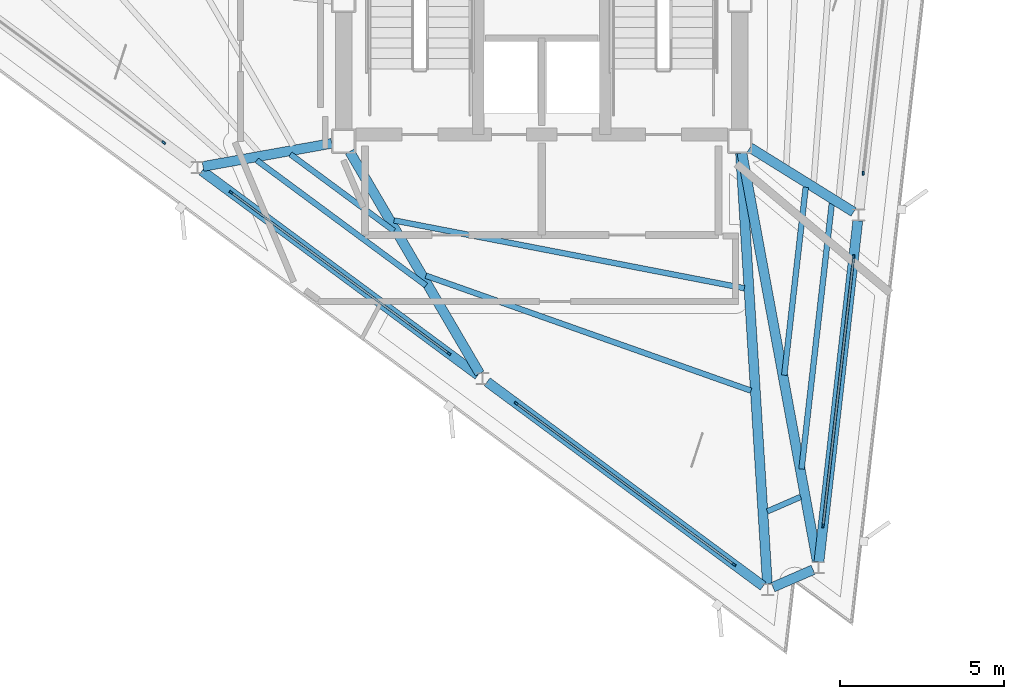
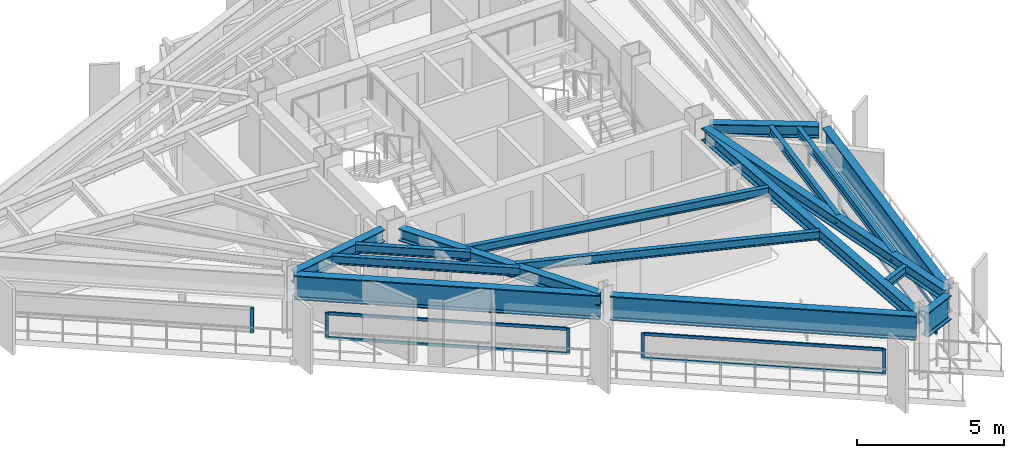
# One storey, part 2 of 9: 16 beams, 14 members, 5 elements without a shape of their own.
"""IFC4 building model written with IfcOpenShell, lengths in metres."""

from ifc_helpers import new_model, si_unit, direction, frame, origin, origin_2d, place, context, subcontext, project, spatial, rectangle, i_section, extrude, material, layer, layer_set, material_profile, profile_set, type_object, element, aggregate, save


model = new_model("IFC4")

# Units and contexts
model_context = context("Model", 3, precision=1e-05, world=origin(), true_north=direction((0.0, 1.0)))
body_context = subcontext(model_context, "Body", "Model", "MODEL_VIEW")
ifc_project = project(units=[si_unit("LENGTHUNIT", "METRE"), si_unit("AREAUNIT", "SQUARE_METRE"), si_unit("VOLUMEUNIT", "CUBIC_METRE"), si_unit("PLANEANGLEUNIT", "RADIAN"), si_unit("MASSUNIT", "GRAM", prefix="KILO")], contexts=[model_context])

# Site, building, storey
site_placement = place(None, origin())
site = spatial("IfcSite", under=ifc_project, at=site_placement, CompositionType="ELEMENT")
building_placement = place(site_placement, origin())
building = spatial("IfcBuilding", under=site, at=building_placement, Name="Rocaltana Carrier Exchange", CompositionType="ELEMENT")
storey_placement = place(building_placement, frame((0.0, 0.0, 236.159912109375)))
storey = spatial("IfcBuildingStorey", under=building, at=storey_placement, Name="L75", CompositionType="ELEMENT", Elevation=236.159912109375)

# Curtain wall, members
ifc_material_1 = material(Name="Aluminium 6063-T6", Category="aluminium")
ifc_layer = layer(ifc_material_1, 0.1201171875)
ifc_layer_set = layer_set([ifc_layer], Name="Aluminium 6063-T6")
curtain_wall_type = type_object("IfcCurtainWallType", Name="High-Altitude Thermal Curtain Wall CW-05", PredefinedType="NOTDEFINED", material=ifc_layer_set)
curtain_wall_1_placement = place(storey_placement, origin())
curtain_wall_1 = element("IfcCurtainWall", 1, at=curtain_wall_1_placement, inside=storey, type_object=curtain_wall_type, Name="L75 CW-05 Run CW-L75-F1S1", PredefinedType="NOTDEFINED")
ifc_material_2 = material(Name="Aluminium 6063-T6", Category="aluminium")
ifc_material_profile_1 = material_profile(ifc_material_2, rectangle(XDim=0.06005859375, YDim=0.1201171875, at=origin_2d()), Name="AL-60X120")
ifc_profile_set_1 = profile_set([ifc_material_profile_1], Name="Aluminium 6063-T6")
member_type_1 = type_object("IfcMemberType", Name="CW-05 Mullion AL-60X120", PredefinedType="MULLION", material=ifc_profile_set_1)
member_1_placement = place(storey_placement, frame((8.593505859375, -16.0458984375, 0.0), z_axis=(0.0, 0.0, 1.0), x_axis=(-0.993571216652, 0.113208822277, 0.0)))
member_1 = element("IfcMember", 2, at=member_1_placement, type_object=member_type_1, Name="CW-05 mullion 1", PredefinedType="MULLION", context=body_context, shape_type="SweptSolid", body=[
    extrude(rectangle(XDim=0.06005859375, YDim=0.1201171875, at=origin_2d()), origin(), (0.0, 0.0, 1.0), 1.078125),
])
member_2_placement = place(storey_placement, frame((9.530029296875, -7.825927734375, 0.0), z_axis=(0.0, 0.0, 1.0), x_axis=(-0.993571216652, 0.113208822277, 0.0)))
member_2 = element("IfcMember", 3, at=member_2_placement, type_object=member_type_1, Name="CW-05 mullion 2", PredefinedType="MULLION", context=body_context, shape_type="SweptSolid", body=[
    extrude(rectangle(XDim=0.06005859375, YDim=0.1201171875, at=origin_2d()), origin(), (0.0, 0.0, 1.0), 1.078125),
])

# Curtain wall, member
curtain_wall_2_placement = place(storey_placement, origin())
curtain_wall_2 = element("IfcCurtainWall", 4, at=curtain_wall_2_placement, inside=storey, type_object=curtain_wall_type, Name="L75 CW-05 Run CW-L75-F1S2", PredefinedType="NOTDEFINED")
member_3_placement = place(storey_placement, frame((9.81982421875, -5.2822265625, 0.0), z_axis=(0.0, 0.0, 1.0), x_axis=(-0.993571216652, 0.113208822277, 0.0)))
member_3 = element("IfcMember", 5, at=member_3_placement, type_object=member_type_1, Name="CW-05 mullion 1", PredefinedType="MULLION", context=body_context, shape_type="SweptSolid", body=[
    extrude(rectangle(XDim=0.06005859375, YDim=0.1201171875, at=origin_2d()), origin(), (0.0, 0.0, 1.0), 1.078125),
])
aggregate(curtain_wall_2, [member_3])

curtain_wall_3_placement = place(storey_placement, origin())
curtain_wall_3 = element("IfcCurtainWall", 6, at=curtain_wall_3_placement, inside=storey, type_object=curtain_wall_type, Name="L75 CW-05 Run CW-L75-F3S1", PredefinedType="NOTDEFINED")
member_4_placement = place(storey_placement, frame((-11.54248046875, -4.340576171875, 0.0), z_axis=(0.0, 0.0, 1.0), x_axis=(0.594826566974, 0.803854063386, 0.0)))
member_4 = element("IfcMember", 7, at=member_4_placement, type_object=member_type_1, Name="CW-05 mullion 2", PredefinedType="MULLION", context=body_context, shape_type="SweptSolid", body=[
    extrude(rectangle(XDim=0.06005859375, YDim=0.1201171875, at=origin_2d()), origin(), (0.0, 0.0, 1.0), 1.078125),
])
aggregate(curtain_wall_3, [member_4])

# Curtain wall, members
curtain_wall_4_placement = place(storey_placement, origin())
curtain_wall_4 = element("IfcCurtainWall", 8, at=curtain_wall_4_placement, inside=storey, type_object=curtain_wall_type, Name="L75 CW-05 Run CW-L75-F3S2", PredefinedType="NOTDEFINED")
member_5_placement = place(storey_placement, frame((-9.484619140625, -5.863037109375, 0.0), z_axis=(0.0, 0.0, 1.0), x_axis=(0.594820829179, 0.803858309141, 0.0)))
member_5 = element("IfcMember", 9, at=member_5_placement, type_object=member_type_1, Name="CW-05 mullion 1", PredefinedType="MULLION", context=body_context, shape_type="SweptSolid", body=[
    extrude(rectangle(XDim=0.06005859375, YDim=0.1201171875, at=origin_2d()), origin(), (0.0, 0.0, 1.0), 1.078125),
])
member_6_placement = place(storey_placement, frame((-2.833984375, -10.784423828125, 0.0), z_axis=(0.0, 0.0, 1.0), x_axis=(0.594820829179, 0.803858309141, 0.0)))
member_6 = element("IfcMember", 10, at=member_6_placement, type_object=member_type_1, Name="CW-05 mullion 2", PredefinedType="MULLION", context=body_context, shape_type="SweptSolid", body=[
    extrude(rectangle(XDim=0.06005859375, YDim=0.1201171875, at=origin_2d()), origin(), (0.0, 0.0, 1.0), 1.078125),
])

curtain_wall_5_placement = place(storey_placement, origin())
curtain_wall_5 = element("IfcCurtainWall", 11, at=curtain_wall_5_placement, inside=storey, type_object=curtain_wall_type, Name="L75 CW-05 Run CW-L75-F3S3", PredefinedType="NOTDEFINED")
member_7_placement = place(storey_placement, frame((-0.776123046875, -12.30712890625, 0.0), z_axis=(0.0, 0.0, 1.0), x_axis=(0.594826566974, 0.803854063386, 0.0)))
member_7 = element("IfcMember", 12, at=member_7_placement, type_object=member_type_1, Name="CW-05 mullion 1", PredefinedType="MULLION", context=body_context, shape_type="SweptSolid", body=[
    extrude(rectangle(XDim=0.06005859375, YDim=0.1201171875, at=origin_2d()), origin(), (0.0, 0.0, 1.0), 1.078125),
])
member_8_placement = place(storey_placement, frame((5.87451171875, -17.228271484375, 0.0), z_axis=(0.0, 0.0, 1.0), x_axis=(0.594826566974, 0.803854063386, 0.0)))
member_8 = element("IfcMember", 13, at=member_8_placement, type_object=member_type_1, Name="CW-05 mullion 2", PredefinedType="MULLION", context=body_context, shape_type="SweptSolid", body=[
    extrude(rectangle(XDim=0.06005859375, YDim=0.1201171875, at=origin_2d()), origin(), (0.0, 0.0, 1.0), 1.078125),
])

# Member
ifc_material_3 = material(Name="Aluminium 6063-T6", Category="aluminium")
ifc_material_profile_2 = material_profile(ifc_material_3, rectangle(XDim=0.06005859375, YDim=0.1201171875, at=origin_2d()), Name="AL-60X120")
ifc_profile_set_2 = profile_set([ifc_material_profile_2], Name="Aluminium 6063-T6")
member_type_2 = type_object("IfcMemberType", Name="CW-05 Transom AL-60X120", PredefinedType="USERDEFINED", material=ifc_profile_set_2)
member_9_placement = place(storey_placement, frame((8.596923828125, -16.01611328125, 0.030029296875), z_axis=(0.113194477683, 0.993572850989, 0.0), x_axis=(-0.993572850989, 0.113194477683, 0.0)))
member_9 = element("IfcMember", 14, at=member_9_placement, type_object=member_type_2, Name="CW-05 transom 1.1", ObjectType="TRANSOM", PredefinedType="USERDEFINED", context=body_context, shape_type="SweptSolid", body=[
    extrude(rectangle(XDim=0.06005859375, YDim=0.1201171875, at=origin_2d()), origin(), (0.0, 0.0, 1.0), 8.213134765625),
])

member_10_placement = place(storey_placement, frame((8.596923828125, -16.01611328125, 1.048095703125), z_axis=(0.113194477683, 0.993572850989, 0.0), x_axis=(-0.993572850989, 0.113194477683, 0.0)))
member_10 = element("IfcMember", 15, at=member_10_placement, type_object=member_type_2, Name="CW-05 transom 1.2", ObjectType="TRANSOM", PredefinedType="USERDEFINED", context=body_context, shape_type="SweptSolid", body=[
    extrude(rectangle(XDim=0.06005859375, YDim=0.1201171875, at=origin_2d()), origin(), (0.0, 0.0, 1.0), 8.213134765625),
])

aggregate(curtain_wall_1, [member_1, member_2, member_9, member_10])

member_11_placement = place(storey_placement, frame((-9.46044921875, -5.881103515625, 0.030029296875), z_axis=(0.80386407087, -0.59481304253, 0.0), x_axis=(0.59481304253, 0.80386407087, 0.0)))
member_11 = element("IfcMember", 16, at=member_11_placement, type_object=member_type_2, Name="CW-05 transom 1.1", ObjectType="TRANSOM", PredefinedType="USERDEFINED", context=body_context, shape_type="SweptSolid", body=[
    extrude(rectangle(XDim=0.06005859375, YDim=0.1201171875, at=origin_2d()), origin(), (0.0, 0.0, 1.0), 8.213623046875),
])

member_12_placement = place(storey_placement, frame((-9.46044921875, -5.881103515625, 1.048095703125), z_axis=(0.80386407087, -0.59481304253, 0.0), x_axis=(0.59481304253, 0.80386407087, 0.0)))
member_12 = element("IfcMember", 17, at=member_12_placement, type_object=member_type_2, Name="CW-05 transom 1.2", ObjectType="TRANSOM", PredefinedType="USERDEFINED", context=body_context, shape_type="SweptSolid", body=[
    extrude(rectangle(XDim=0.06005859375, YDim=0.1201171875, at=origin_2d()), origin(), (0.0, 0.0, 1.0), 8.213623046875),
])

aggregate(curtain_wall_4, [member_5, member_6, member_11, member_12])

member_13_placement = place(storey_placement, frame((-0.751953125, -12.324951171875, 0.030029296875), z_axis=(0.803853553959, -0.594827255418, 0.0), x_axis=(0.594827255418, 0.803853553959, 0.0)))
member_13 = element("IfcMember", 18, at=member_13_placement, type_object=member_type_2, Name="CW-05 transom 1.1", ObjectType="TRANSOM", PredefinedType="USERDEFINED", context=body_context, shape_type="SweptSolid", body=[
    extrude(rectangle(XDim=0.06005859375, YDim=0.1201171875, at=origin_2d()), origin(), (0.0, 0.0, 1.0), 8.21337890625),
])

member_14_placement = place(storey_placement, frame((-0.751953125, -12.324951171875, 1.048095703125), z_axis=(0.803853553959, -0.594827255418, 0.0), x_axis=(0.594827255418, 0.803853553959, 0.0)))
member_14 = element("IfcMember", 19, at=member_14_placement, type_object=member_type_2, Name="CW-05 transom 1.2", ObjectType="TRANSOM", PredefinedType="USERDEFINED", context=body_context, shape_type="SweptSolid", body=[
    extrude(rectangle(XDim=0.06005859375, YDim=0.1201171875, at=origin_2d()), origin(), (0.0, 0.0, 1.0), 8.21337890625),
])

aggregate(curtain_wall_5, [member_7, member_8, member_13, member_14])

# Beams
ifc_material_4 = material(Name="Steel S355", Category="steel")
ifc_material_profile_3 = material_profile(ifc_material_4, i_section(OverallWidth=0.172119140625, OverallDepth=0.35791015625, WebThickness=0.0078125, FlangeThickness=0.01318359375, FilletRadius=0.011962890625, at=origin_2d()), Name="W14X38")
ifc_profile_set_3 = profile_set([ifc_material_profile_3], Name="Steel S355")
beam_type_1 = type_object("IfcBeamType", Name="Floor Joist W14X38", PredefinedType="JOIST", material=ifc_profile_set_3)
beam_1_placement = place(storey_placement, frame((7.409423828125, -11.44677734375, 2.439208984375), z_axis=(0.113227249781, 0.993569116824, 0.0), x_axis=(-0.993569116824, 0.113227249781, 0.0)))
element("IfcBeam", 20, at=beam_1_placement, inside=storey, type_object=beam_type_1, Name="FJ-L75-01-2", PredefinedType="JOIST", context=body_context, shape_type="SweptSolid", body=[
    extrude(i_section(OverallWidth=0.172119140625, OverallDepth=0.35791015625, WebThickness=0.0078125, FlangeThickness=0.01318359375, FilletRadius=0.011962890625, at=origin_2d()), origin(), (0.0, 0.0, 1.0), 5.778564453125),
])
beam_2_placement = place(storey_placement, frame((7.937255859375, -14.310791015625, 2.439208984375), z_axis=(0.113185523322, 0.993573871089, 0.0), x_axis=(-0.993573871089, 0.113185523322, 0.0)))
element("IfcBeam", 21, at=beam_2_placement, inside=storey, type_object=beam_type_1, Name="FJ-L75-01-3", PredefinedType="JOIST", context=body_context, shape_type="SweptSolid", body=[
    extrude(i_section(OverallWidth=0.172119140625, OverallDepth=0.35791015625, WebThickness=0.0078125, FlangeThickness=0.01318359375, FilletRadius=0.011962890625, at=origin_2d()), origin(), (0.0, 0.0, 1.0), 8.162109375),
])
beam_3_placement = place(storey_placement, frame((-7.675048828125, -4.698486328125, 2.439208984375), z_axis=(0.803860282808, -0.594818161899, 0.0), x_axis=(0.594818161899, 0.803860282808, 0.0)))
element("IfcBeam", 22, at=beam_3_placement, inside=storey, type_object=beam_type_1, Name="FJ-L75-10-1", PredefinedType="JOIST", context=body_context, shape_type="SweptSolid", body=[
    extrude(i_section(OverallWidth=0.172119140625, OverallDepth=0.35791015625, WebThickness=0.0078125, FlangeThickness=0.01318359375, FilletRadius=0.011962890625, at=origin_2d()), origin(), (0.0, 0.0, 1.0), 3.93701171875),
])
beam_4_placement = place(storey_placement, frame((-8.70166015625, -4.8828125, 2.439208984375), z_axis=(0.803852431251, -0.59482877265, 0.0), x_axis=(0.59482877265, 0.803852431251, 0.0)))
element("IfcBeam", 23, at=beam_4_placement, inside=storey, type_object=beam_type_1, Name="FJ-L75-10-2", PredefinedType="JOIST", context=body_context, shape_type="SweptSolid", body=[
    extrude(i_section(OverallWidth=0.172119140625, OverallDepth=0.35791015625, WebThickness=0.0078125, FlangeThickness=0.01318359375, FilletRadius=0.011962890625, at=origin_2d()), origin(), (0.0, 0.0, 1.0), 6.4287109375),
])
beam_5_placement = place(storey_placement, frame((-4.5078125, -6.718505859375, 2.439208984375), z_axis=(0.981759350147, -0.190127794914, 0.0), x_axis=(0.190127794914, 0.981759350147, 0.0)))
element("IfcBeam", 24, at=beam_5_placement, inside=storey, type_object=beam_type_1, Name="FJ-L75-11-1", PredefinedType="JOIST", context=body_context, shape_type="SweptSolid", body=[
    extrude(i_section(OverallWidth=0.172119140625, OverallDepth=0.35791015625, WebThickness=0.0078125, FlangeThickness=0.01318359375, FilletRadius=0.011962890625, at=origin_2d()), origin(), (0.0, 0.0, 1.0), 10.896728515625),
])
beam_6_placement = place(storey_placement, frame((-3.537109375, -8.405517578125, 2.439208984375), z_axis=(0.942743579006, -0.333518431639, 0.0), x_axis=(0.333518431639, 0.942743579006, 0.0)))
element("IfcBeam", 25, at=beam_6_placement, inside=storey, type_object=beam_type_1, Name="FJ-L75-11-2", PredefinedType="JOIST", context=body_context, shape_type="SweptSolid", body=[
    extrude(i_section(OverallWidth=0.172119140625, OverallDepth=0.35791015625, WebThickness=0.0078125, FlangeThickness=0.01318359375, FilletRadius=0.011962890625, at=origin_2d()), origin(), (0.0, 0.0, 1.0), 10.5322265625),
])
beam_7_placement = place(storey_placement, frame((6.890380859375, -15.60498046875, 2.439208984375), z_axis=(0.917028106869, 0.398822581122, 0.0), x_axis=(-0.398822581122, 0.917028106869, 0.0)))
element("IfcBeam", 26, at=beam_7_placement, inside=storey, type_object=beam_type_1, Name="FJ-L75-12-3", PredefinedType="JOIST", context=body_context, shape_type="SweptSolid", body=[
    extrude(i_section(OverallWidth=0.172119140625, OverallDepth=0.35791015625, WebThickness=0.0078125, FlangeThickness=0.01318359375, FilletRadius=0.011962890625, at=origin_2d()), origin(), (0.0, 0.0, 1.0), 1.1103515625),
])
ifc_material_5 = material(Name="Steel S460", Category="steel")
ifc_material_profile_4 = material_profile(ifc_material_5, i_section(OverallWidth=0.302001953125, OverallDepth=1.008056640625, WebThickness=0.02099609375, FlangeThickness=0.0400390625, FilletRadius=0.030029296875, at=origin_2d()), Name="HEM1000")
ifc_profile_set_4 = profile_set([ifc_material_profile_4], Name="Steel S460")
beam_type_2 = type_object("IfcBeamType", Name="Transfer Ring Girder HEM1000", PredefinedType="USERDEFINED", material=ifc_profile_set_4)
for number, where, z_axis, x_axis, name in (
    (27, (8.46826171875, -17.144775390625, 2.114013671875), (0.113206425365, 0.993571489756, 0.0), (-0.993571489756, 0.113206425365, 0.0), "SP-L75-01"),
    (28, (-10.37353515625, -5.205322265625, 2.114013671875), (0.80386149379, -0.594816525326, 0.0), (0.594816525326, 0.80386149379, 0.0), "SP-L75-10"),
):
    element("IfcBeam", number, at=place(storey_placement, frame(where, z_axis=z_axis, x_axis=x_axis)), inside=storey, type_object=beam_type_2, Name=name, ObjectType="TRANSFER GIRDER", PredefinedType="USERDEFINED", context=body_context, shape_type="SweptSolid", body=[
        extrude(i_section(OverallWidth=0.302001953125, OverallDepth=1.008056640625, WebThickness=0.02099609375, FlangeThickness=0.0400390625, FilletRadius=0.030029296875, at=origin_2d()), origin(), (0.0, 0.0, 1.0), 10.4853515625),
    ])
beam_8_placement = place(storey_placement, frame((-1.6650390625, -11.649169921875, 2.114013671875), z_axis=(0.803853255476, -0.594827658789, 0.0), x_axis=(0.594827658789, 0.803853255476, 0.0)))
element("IfcBeam", 29, at=beam_8_placement, inside=storey, type_object=beam_type_2, Name="SP-L75-11", ObjectType="TRANSFER GIRDER", PredefinedType="USERDEFINED", context=body_context, shape_type="SweptSolid", body=[
    extrude(i_section(OverallWidth=0.302001953125, OverallDepth=1.008056640625, WebThickness=0.02099609375, FlangeThickness=0.0400390625, FilletRadius=0.030029296875, at=origin_2d()), origin(), (0.0, 0.0, 1.0), 10.485107421875),
])
beam_9_placement = place(storey_placement, frame((7.06298828125, -17.920166015625, 2.114013671875), z_axis=(0.917101989492, 0.398652656922, 0.0), x_axis=(-0.398652656922, 0.917101989492, 0.0)))
element("IfcBeam", 30, at=beam_9_placement, inside=storey, type_object=beam_type_2, Name="SP-L75-12", ObjectType="TRANSFER GIRDER", PredefinedType="USERDEFINED", context=body_context, shape_type="SweptSolid", body=[
    extrude(i_section(OverallWidth=0.302001953125, OverallDepth=1.008056640625, WebThickness=0.02099609375, FlangeThickness=0.0400390625, FilletRadius=0.030029296875, at=origin_2d()), origin(), (0.0, 0.0, 1.0), 1.3369140625),
])
ifc_material_6 = material(Name="Steel S355", Category="steel")
ifc_material_profile_5 = material_profile(ifc_material_6, i_section(OverallWidth=0.300048828125, OverallDepth=0.5, WebThickness=0.014404296875, FlangeThickness=0.028076171875, FilletRadius=0.027099609375, at=origin_2d()), Name="HEB500")
ifc_profile_set_5 = profile_set([ifc_material_profile_5], Name="Steel S355")
beam_type_3 = type_object("IfcBeamType", Name="Upper Radial Girder HEB500", PredefinedType="BEAM", material=ifc_profile_set_5)
beam_10_placement = place(storey_placement, frame((6.116455078125, -4.660888671875, 2.3681640625), z_axis=(0.181205011111, -0.983445343651, 0.0), x_axis=(0.983445343651, 0.181205011111, 0.0)))
element("IfcBeam", 31, at=beam_10_placement, inside=storey, type_object=beam_type_3, Name="RG-L75-01", PredefinedType="BEAM", context=body_context, shape_type="SweptSolid", body=[
    extrude(i_section(OverallWidth=0.300048828125, OverallDepth=0.5, WebThickness=0.014404296875, FlangeThickness=0.028076171875, FilletRadius=0.027099609375, at=origin_2d()), origin(), (0.0, 0.0, 1.0), 12.69580078125),
])
beam_11_placement = place(storey_placement, frame((6.36181640625, -4.493896484375, 2.3681640625), z_axis=(0.849206736658, -0.528060525333, 0.0), x_axis=(0.528060525333, 0.849206736658, 0.0)))
element("IfcBeam", 32, at=beam_11_placement, inside=storey, type_object=beam_type_3, Name="RG-L75-02", PredefinedType="BEAM", context=body_context, shape_type="SweptSolid", body=[
    extrude(i_section(OverallWidth=0.300048828125, OverallDepth=0.5, WebThickness=0.014404296875, FlangeThickness=0.028076171875, FilletRadius=0.027099609375, at=origin_2d()), origin(), (0.0, 0.0, 1.0), 3.727294921875),
])
beam_12_placement = place(storey_placement, frame((-6.4111328125, -4.364990234375, 2.3681640625), z_axis=(-0.98425103289, -0.176776424489, 0.0), x_axis=(0.176776424489, -0.98425103289, 0.0)))
element("IfcBeam", 33, at=beam_12_placement, inside=storey, type_object=beam_type_3, Name="RG-L75-10", PredefinedType="BEAM", context=body_context, shape_type="SweptSolid", body=[
    extrude(i_section(OverallWidth=0.300048828125, OverallDepth=0.5, WebThickness=0.014404296875, FlangeThickness=0.028076171875, FilletRadius=0.027099609375, at=origin_2d()), origin(), (0.0, 0.0, 1.0), 3.994140625),
])
beam_13_placement = place(storey_placement, frame((-5.864501953125, -4.61669921875, 2.3681640625), z_axis=(0.505496980412, -0.862828373893, 0.0), x_axis=(0.862828373893, 0.505496980412, 0.0)))
element("IfcBeam", 34, at=beam_13_placement, inside=storey, type_object=beam_type_3, Name="RG-L75-11", PredefinedType="BEAM", context=body_context, shape_type="SweptSolid", body=[
    extrude(i_section(OverallWidth=0.300048828125, OverallDepth=0.5, WebThickness=0.014404296875, FlangeThickness=0.028076171875, FilletRadius=0.027099609375, at=origin_2d()), origin(), (0.0, 0.0, 1.0), 7.8564453125),
])
beam_14_placement = place(storey_placement, frame((6.07275390625, -4.666259765625, 2.3681640625), z_axis=(0.062224851394, -0.998062156315, 0.0), x_axis=(0.998062156315, 0.062224851394, 0.0)))
element("IfcBeam", 35, at=beam_14_placement, inside=storey, type_object=beam_type_3, Name="RG-L75-12", PredefinedType="BEAM", context=body_context, shape_type="SweptSolid", body=[
    extrude(i_section(OverallWidth=0.300048828125, OverallDepth=0.5, WebThickness=0.014404296875, FlangeThickness=0.028076171875, FilletRadius=0.027099609375, at=origin_2d()), origin(), (0.0, 0.0, 1.0), 13.17529296875),
])

save(model, "model.ifc")
